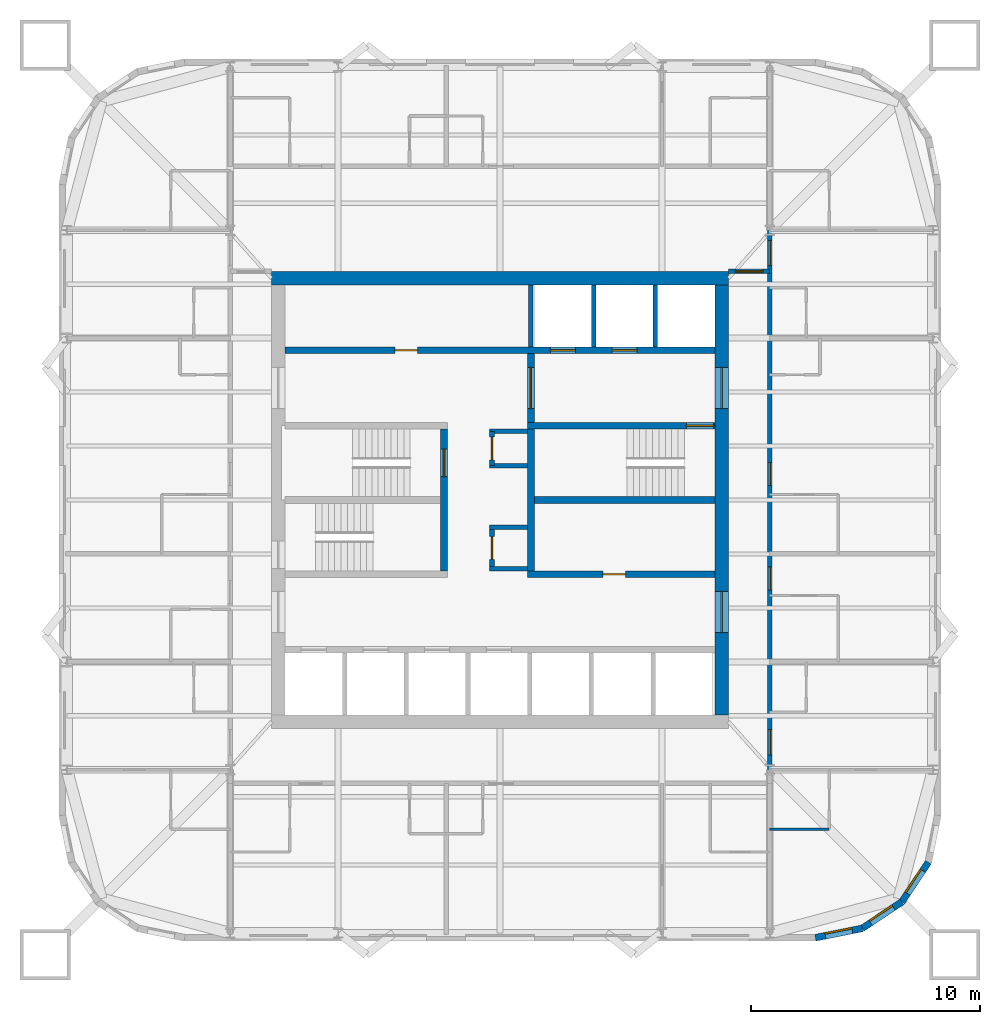
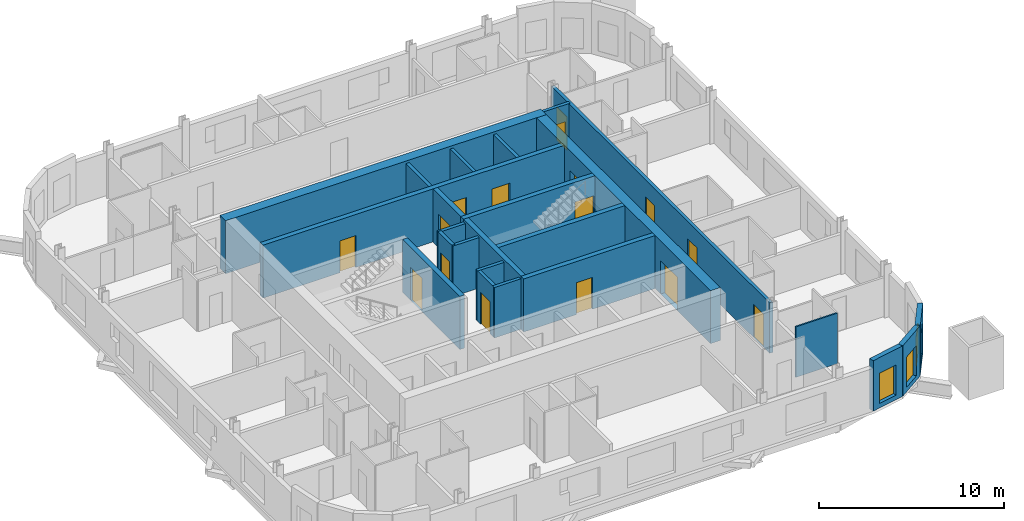
# One storey, part 5 of 9: 23 walls, 16 doors, 3 windows, 19 openings.
"""IFC4 building model written with IfcOpenShell, lengths in metres."""

from ifc_helpers import new_model, si_unit, direction, frame, frame_2d, origin, place, context, subcontext, project, spatial, rectangle, extrude, material, layer, layer_set, type_object, element, fill, save


model = new_model("IFC4")

# Units and contexts
model_context = context("Model", 3, precision=1e-05, world=origin(), true_north=direction((0.0, 1.0)))
body_context = subcontext(model_context, "Body", "Model", "MODEL_VIEW")
ifc_project = project(units=[si_unit("LENGTHUNIT", "METRE"), si_unit("AREAUNIT", "SQUARE_METRE"), si_unit("VOLUMEUNIT", "CUBIC_METRE"), si_unit("PLANEANGLEUNIT", "RADIAN"), si_unit("MASSUNIT", "GRAM", prefix="KILO")], contexts=[model_context])

# Site, building, storey
site_placement = place(None, origin())
site = spatial("IfcSite", under=ifc_project, at=site_placement, CompositionType="ELEMENT")
building_placement = place(site_placement, origin())
building = spatial("IfcBuilding", under=site, at=building_placement, Name="Turquesa Mirador Hotel Tower", CompositionType="ELEMENT")
storey_placement = place(building_placement, frame((0.0, 0.0, 200.300048828125)))
storey = spatial("IfcBuildingStorey", under=building, at=storey_placement, Name="L54", CompositionType="ELEMENT", Elevation=200.300048828125)

# Wall
ifc_material_1 = material(Name="Gypsum board on steel studs", Category="steel")
ifc_layer_1 = layer(ifc_material_1, 0.10009765625)
ifc_layer_set_1 = layer_set([ifc_layer_1], Name="BATHROOM WALL 100")
wall_type_1 = type_object("IfcWallType", Name="BATHROOM WALL 100", PredefinedType="PARTITIONING", material=ifc_layer_set_1)
wall_1_placement = place(storey_placement, frame((66.800048828125, 30.60009765625, 0.0), z_axis=(0.0, 0.0, 1.0), x_axis=(1.0, 0.0, 0.0)))
element("IfcWall", 1, at=wall_1_placement, inside=storey, type_object=wall_type_1, Name="Partition L54 007", PredefinedType="PARTITIONING", context=body_context, shape_type="SweptSolid", body=[
    extrude(rectangle(XDim=2.599853515625, YDim=0.10009765625, at=frame_2d((1.2998046875, 0.0))), origin(), (0.0, 0.0, 1.0), 3.329833984375),
])

# Wall, openings, doors
ifc_material_2 = material(Name="Concrete C50/60", Category="concrete")
ifc_layer_2 = layer(ifc_material_2, 0.300048828125)
ifc_layer_set_2 = layer_set([ifc_layer_2], Name="CORE INNER WALL 300")
wall_type_2 = type_object("IfcWallType", Name="CORE INNER WALL 300", PredefinedType="SHEAR", material=ifc_layer_set_2)
wall_2_placement = place(storey_placement, frame((45.60009765625, 51.550048828125, 0.0), z_axis=(0.0, 0.0, 1.0), x_axis=(1.0, 0.0, 0.0)))
wall_2 = element("IfcWall", 2, at=wall_2_placement, inside=storey, type_object=wall_type_2, Name="Core wall NL", PredefinedType="SHEAR", context=body_context, shape_type="SweptSolid", body=[
    extrude(rectangle(XDim=18.7998046875, YDim=0.300048828125, at=frame_2d((9.39990234375, 0.0))), origin(), (0.0, 0.0, 1.0), 3.5),
])
opening_1_placement = place(wall_2_placement, frame((4.800048828125, 0.0, 0.0)))
opening_1 = element("IfcOpeningElement", 3, at=opening_1_placement, cuts=wall_2, Name="Opening D05", PredefinedType="OPENING", context=body_context, shape_type="SweptSolid", body=[
    extrude(rectangle(XDim=1.0, YDim=2.10009765625, at=frame_2d((0.5, 1.050048828125))), frame((0.0, 0.159912109375, 0.0), z_axis=(0.0, -1.0, 0.0), x_axis=(1.0, 0.0, 0.0)), (0.0, 0.0, 1.0), 0.320068359375),
])
opening_2_placement = place(wall_2_placement, frame((11.60009765625, 0.0, 0.0)))
opening_2 = element("IfcOpeningElement", 4, at=opening_2_placement, cuts=wall_2, Name="Opening LD", PredefinedType="OPENING", context=body_context, shape_type="SweptSolid", body=[
    extrude(rectangle(XDim=1.10009765625, YDim=2.199951171875, at=frame_2d((0.550048828125, 1.10009765625))), frame((0.0, 0.159912109375, 0.0), z_axis=(0.0, -1.0, 0.0), x_axis=(1.0, 0.0, 0.0)), (0.0, 0.0, 1.0), 0.320068359375),
])
opening_3_placement = place(wall_2_placement, frame((14.300048828125, 0.0, 0.0)))
opening_3 = element("IfcOpeningElement", 5, at=opening_3_placement, cuts=wall_2, Name="Opening LD", PredefinedType="OPENING", context=body_context, shape_type="SweptSolid", body=[
    extrude(rectangle(XDim=1.10009765625, YDim=2.199951171875, at=frame_2d((0.550048828125, 1.10009765625))), frame((0.0, 0.159912109375, 0.0), z_axis=(0.0, -1.0, 0.0), x_axis=(1.0, 0.0, 0.0)), (0.0, 0.0, 1.0), 0.320068359375),
])
ifc_material_3 = material(Name="Steel fire door", Category="steel")
door_type_1 = type_object("IfcDoorType", Name="DOOR 1000X2100 SERVICE", OperationType="SINGLE_SWING_LEFT", PredefinedType="DOOR", material=ifc_material_3)
door_1_placement = place(opening_1_placement, origin())
door_1 = element("IfcDoor", 6, at=door_1_placement, inside=storey, type_object=door_type_1, Name="Linen store door", OperationType="SINGLE_SWING_LEFT", OverallHeight=2.10009765625, OverallWidth=1.0, PredefinedType="DOOR", context=body_context, shape_type="SweptSolid", body=[
    extrude(rectangle(XDim=1.0, YDim=2.10009765625, at=frame_2d((0.5, 1.050048828125))), frame((0.0, 0.02490234375, 0.0), z_axis=(0.0, -1.0, 0.0), x_axis=(1.0, 0.0, 0.0)), (0.0, 0.0, 1.0), 0.050048828125),
])
fill(opening_1, door_1)
ifc_material_4 = material(Name="Stainless steel lift landing door", Category="steel")
door_type_2 = type_object("IfcDoorType", Name="LIFT LANDING DOOR 1100X2200", OperationType="SLIDING_TO_LEFT", PredefinedType="DOOR", material=ifc_material_4)
door_2_placement = place(opening_2_placement, origin())
door_2 = element("IfcDoor", 7, at=door_2_placement, inside=storey, type_object=door_type_2, Name="Lift S1 landing door", OperationType="SLIDING_TO_LEFT", OverallHeight=2.199951171875, OverallWidth=1.10009765625, PredefinedType="DOOR", context=body_context, shape_type="SweptSolid", body=[
    extrude(rectangle(XDim=1.10009765625, YDim=2.199951171875, at=frame_2d((0.550048828125, 1.10009765625))), frame((0.0, 0.02490234375, 0.0), z_axis=(0.0, -1.0, 0.0), x_axis=(1.0, 0.0, 0.0)), (0.0, 0.0, 1.0), 0.050048828125),
])
fill(opening_2, door_2)
door_3_placement = place(opening_3_placement, origin())
door_3 = element("IfcDoor", 8, at=door_3_placement, inside=storey, type_object=door_type_2, Name="Lift S2 landing door", OperationType="SLIDING_TO_LEFT", OverallHeight=2.199951171875, OverallWidth=1.10009765625, PredefinedType="DOOR", context=body_context, shape_type="SweptSolid", body=[
    extrude(rectangle(XDim=1.10009765625, YDim=2.199951171875, at=frame_2d((0.550048828125, 1.10009765625))), frame((0.0, 0.02490234375, 0.0), z_axis=(0.0, -1.0, 0.0), x_axis=(1.0, 0.0, 0.0)), (0.0, 0.0, 1.0), 0.050048828125),
])
fill(opening_3, door_3)

# Wall, opening, door
wall_3_placement = place(storey_placement, frame((56.199951171875, 48.25, 0.0), z_axis=(0.0, 0.0, 1.0), x_axis=(1.0, 0.0, 0.0)))
wall_3 = element("IfcWall", 9, at=wall_3_placement, inside=storey, type_object=wall_type_2, Name="Core wall MN-E", PredefinedType="SHEAR", context=body_context, shape_type="SweptSolid", body=[
    extrude(rectangle(XDim=8.199951171875, YDim=0.300048828125, at=frame_2d((4.10009765625, 0.0))), origin(), (0.0, 0.0, 1.0), 3.5),
])
opening_4_placement = place(wall_3_placement, frame((6.949951171875, 0.0, 0.0)))
opening_4 = element("IfcOpeningElement", 10, at=opening_4_placement, cuts=wall_3, Name="Opening D03", PredefinedType="OPENING", context=body_context, shape_type="SweptSolid", body=[
    extrude(rectangle(XDim=1.199951171875, YDim=2.199951171875, at=frame_2d((0.60009765625, 1.10009765625))), frame((0.0, 0.159912109375, 0.0), z_axis=(0.0, -1.0, 0.0), x_axis=(1.0, 0.0, 0.0)), (0.0, 0.0, 1.0), 0.320068359375),
])
ifc_material_5 = material(Name="Steel fire door", Category="steel")
door_type_3 = type_object("IfcDoorType", Name="DOOR 1200X2200 STAIR", OperationType="SINGLE_SWING_LEFT", PredefinedType="DOOR", material=ifc_material_5)
door_4_placement = place(opening_4_placement, origin())
door_4 = element("IfcDoor", 11, at=door_4_placement, inside=storey, type_object=door_type_3, Name="Stair ST3 door", OperationType="SINGLE_SWING_LEFT", OverallHeight=2.199951171875, OverallWidth=1.199951171875, PredefinedType="DOOR", context=body_context, shape_type="SweptSolid", body=[
    extrude(rectangle(XDim=1.199951171875, YDim=2.199951171875, at=frame_2d((0.60009765625, 1.10009765625))), frame((0.0, 0.02490234375, 0.0), z_axis=(0.0, -1.0, 0.0), x_axis=(1.0, 0.0, 0.0)), (0.0, 0.0, 1.0), 0.050048828125),
])
fill(opening_4, door_4)

wall_4_placement = place(storey_placement, frame((56.199951171875, 41.75, 0.0), z_axis=(0.0, 0.0, 1.0), x_axis=(1.0, 0.0, 0.0)))
wall_4 = element("IfcWall", 12, at=wall_4_placement, inside=storey, type_object=wall_type_2, Name="Core wall MS-E", PredefinedType="SHEAR", context=body_context, shape_type="SweptSolid", body=[
    extrude(rectangle(XDim=8.199951171875, YDim=0.300048828125, at=frame_2d((4.10009765625, 0.0))), origin(), (0.0, 0.0, 1.0), 3.5),
])
opening_5_placement = place(wall_4_placement, frame((3.300048828125, 0.0, 0.0)))
opening_5 = element("IfcOpeningElement", 13, at=opening_5_placement, cuts=wall_4, Name="Opening D05", PredefinedType="OPENING", context=body_context, shape_type="SweptSolid", body=[
    extrude(rectangle(XDim=1.0, YDim=2.10009765625, at=frame_2d((0.5, 1.050048828125))), frame((0.0, 0.159912109375, 0.0), z_axis=(0.0, -1.0, 0.0), x_axis=(1.0, 0.0, 0.0)), (0.0, 0.0, 1.0), 0.320068359375),
])
door_5_placement = place(opening_5_placement, origin())
door_5 = element("IfcDoor", 14, at=door_5_placement, inside=storey, type_object=door_type_1, Name="Housekeeping room door", OperationType="SINGLE_SWING_LEFT", OverallHeight=2.10009765625, OverallWidth=1.0, PredefinedType="DOOR", context=body_context, shape_type="SweptSolid", body=[
    extrude(rectangle(XDim=1.0, YDim=2.10009765625, at=frame_2d((0.5, 1.050048828125))), frame((0.0, 0.02490234375, 0.0), z_axis=(0.0, -1.0, 0.0), x_axis=(1.0, 0.0, 0.0)), (0.0, 0.0, 1.0), 0.050048828125),
])
fill(opening_5, door_5)

wall_5_placement = place(storey_placement, frame((52.550048828125, 41.89990234375, 0.0), z_axis=(0.0, 0.0, 1.0), x_axis=(0.0, 1.0, 0.0)))
wall_5 = element("IfcWall", 15, at=wall_5_placement, inside=storey, type_object=wall_type_2, Name="Core wall PW", PredefinedType="SHEAR", context=body_context, shape_type="SweptSolid", body=[
    extrude(rectangle(XDim=6.2001953125, YDim=0.300048828125, at=frame_2d((3.10009765625, 0.0))), origin(), (0.0, 0.0, 1.0), 3.5),
])
opening_6_placement = place(wall_5_placement, frame((4.125, 0.0, 0.0)))
opening_6 = element("IfcOpeningElement", 16, at=opening_6_placement, cuts=wall_5, Name="Opening D03", PredefinedType="OPENING", context=body_context, shape_type="SweptSolid", body=[
    extrude(rectangle(XDim=1.199951171875, YDim=2.199951171875, at=frame_2d((0.60009765625, 1.10009765625))), frame((0.0, 0.159912109375, 0.0), z_axis=(0.0, -1.0, 0.0), x_axis=(1.0, 0.0, 0.0)), (0.0, 0.0, 1.0), 0.320068359375),
])
door_6_placement = place(opening_6_placement, origin())
door_6 = element("IfcDoor", 17, at=door_6_placement, inside=storey, type_object=door_type_3, Name="Stair ST1 door", OperationType="SINGLE_SWING_LEFT", OverallHeight=2.199951171875, OverallWidth=1.199951171875, PredefinedType="DOOR", context=body_context, shape_type="SweptSolid", body=[
    extrude(rectangle(XDim=1.199951171875, YDim=2.199951171875, at=frame_2d((0.60009765625, 1.10009765625))), frame((0.0, 0.02490234375, 0.0), z_axis=(0.0, -1.0, 0.0), x_axis=(1.0, 0.0, 0.0)), (0.0, 0.0, 1.0), 0.050048828125),
])
fill(opening_6, door_6)

wall_6_placement = place(storey_placement, frame((56.35009765625, 41.89990234375, 0.0), z_axis=(0.0, 0.0, 1.0), x_axis=(0.0, 1.0, 0.0)))
wall_6 = element("IfcWall", 18, at=wall_6_placement, inside=storey, type_object=wall_type_2, Name="Core wall PE", PredefinedType="SHEAR", context=body_context, shape_type="SweptSolid", body=[
    extrude(rectangle(XDim=9.5, YDim=0.300048828125, at=frame_2d((4.75, 0.0))), origin(), (0.0, 0.0, 1.0), 3.5),
])
opening_7_placement = place(wall_6_placement, frame((7.10009765625, 0.0, 0.0)))
opening_7 = element("IfcOpeningElement", 19, at=opening_7_placement, cuts=wall_6, Name="Opening D04", PredefinedType="OPENING", context=body_context, shape_type="SweptSolid", body=[
    extrude(rectangle(XDim=1.800048828125, YDim=2.199951171875, at=frame_2d((0.89990234375, 1.10009765625))), frame((0.0, 0.159912109375, 0.0), z_axis=(0.0, -1.0, 0.0), x_axis=(1.0, 0.0, 0.0)), (0.0, 0.0, 1.0), 0.320068359375),
])
ifc_material_6 = material(Name="Steel fire door pair", Category="steel")
door_type_4 = type_object("IfcDoorType", Name="DOOR 1800X2200 PAIR", OperationType="DOUBLE_DOOR_SINGLE_SWING", PredefinedType="DOOR", material=ifc_material_6)
door_7_placement = place(opening_7_placement, origin())
door_7 = element("IfcDoor", 20, at=door_7_placement, inside=storey, type_object=door_type_4, Name="Firefighting lobby inner door", OperationType="DOUBLE_DOOR_SINGLE_SWING", OverallHeight=2.199951171875, OverallWidth=1.800048828125, PredefinedType="DOOR", context=body_context, shape_type="SweptSolid", body=[
    extrude(rectangle(XDim=1.800048828125, YDim=2.199951171875, at=frame_2d((0.89990234375, 1.10009765625))), frame((0.0, 0.02490234375, 0.0), z_axis=(0.0, -1.0, 0.0), x_axis=(1.0, 0.0, 0.0)), (0.0, 0.0, 1.0), 0.050048828125),
])
fill(opening_7, door_7)

# Walls
wall_7_placement = place(storey_placement, frame((56.5, 45.0, 0.0), z_axis=(0.0, 0.0, 1.0), x_axis=(1.0, 0.0, 0.0)))
element("IfcWall", 21, at=wall_7_placement, inside=storey, type_object=wall_type_2, Name="Core wall M0-E", PredefinedType="SHEAR", context=body_context, shape_type="SweptSolid", body=[
    extrude(rectangle(XDim=7.89990234375, YDim=0.300048828125, at=frame_2d((3.949951171875, 0.0))), origin(), (0.0, 0.0, 1.0), 3.5),
])
ifc_material_7 = material(Name="Concrete C50/60", Category="concrete")
ifc_layer_3 = layer(ifc_material_7, 0.60009765625)
ifc_layer_set_3 = layer_set([ifc_layer_3], Name="CORE WALL 600")
wall_type_3 = type_object("IfcWallType", Name="CORE WALL 600", PredefinedType="SHEAR", material=ifc_layer_set_3)
wall_8_placement = place(storey_placement, frame((45.0, 54.699951171875, 0.0), z_axis=(0.0, 0.0, 1.0), x_axis=(1.0, 0.0, 0.0)))
element("IfcWall", 22, at=wall_8_placement, inside=storey, type_object=wall_type_3, Name="Core wall N", PredefinedType="SHEAR", context=body_context, shape_type="SweptSolid", body=[
    extrude(rectangle(XDim=20.0, YDim=0.60009765625, at=frame_2d((10.0, 0.0))), origin(), (0.0, 0.0, 1.0), 3.5),
])

# Wall, openings, doors
wall_9_placement = place(storey_placement, frame((64.699951171875, 35.60009765625, 0.0), z_axis=(0.0, 0.0, 1.0), x_axis=(0.0, 1.0, 0.0)))
wall_9 = element("IfcWall", 23, at=wall_9_placement, inside=storey, type_object=wall_type_3, Name="Core wall E", PredefinedType="SHEAR", context=body_context, shape_type="SweptSolid", body=[
    extrude(rectangle(XDim=18.7998046875, YDim=0.60009765625, at=frame_2d((9.39990234375, 0.0))), origin(), (0.0, 0.0, 1.0), 3.5),
])
opening_8_placement = place(wall_9_placement, frame((13.39990234375, 0.0, 0.0)))
opening_8 = element("IfcOpeningElement", 24, at=opening_8_placement, cuts=wall_9, Name="Opening D04", PredefinedType="OPENING", context=body_context, shape_type="SweptSolid", body=[
    extrude(rectangle(XDim=1.800048828125, YDim=2.199951171875, at=frame_2d((0.89990234375, 1.10009765625))), frame((0.0, 0.31005859375, 0.0), z_axis=(0.0, -1.0, 0.0), x_axis=(1.0, 0.0, 0.0)), (0.0, 0.0, 1.0), 0.6201171875),
])
opening_9_placement = place(wall_9_placement, frame((3.60009765625, 0.0, 0.0)))
opening_9 = element("IfcOpeningElement", 25, at=opening_9_placement, cuts=wall_9, Name="Opening D04", PredefinedType="OPENING", context=body_context, shape_type="SweptSolid", body=[
    extrude(rectangle(XDim=1.800048828125, YDim=2.199951171875, at=frame_2d((0.89990234375, 1.10009765625))), frame((0.0, 0.31005859375, 0.0), z_axis=(0.0, -1.0, 0.0), x_axis=(1.0, 0.0, 0.0)), (0.0, 0.0, 1.0), 0.6201171875),
])
door_8_placement = place(opening_8_placement, origin())
door_8 = element("IfcDoor", 26, at=door_8_placement, inside=storey, type_object=door_type_4, Name="Firefighting lobby door", OperationType="DOUBLE_DOOR_SINGLE_SWING", OverallHeight=2.199951171875, OverallWidth=1.800048828125, PredefinedType="DOOR", context=body_context, shape_type="SweptSolid", body=[
    extrude(rectangle(XDim=1.800048828125, YDim=2.199951171875, at=frame_2d((0.89990234375, 1.10009765625))), frame((0.0, 0.02490234375, 0.0), z_axis=(0.0, -1.0, 0.0), x_axis=(1.0, 0.0, 0.0)), (0.0, 0.0, 1.0), 0.050048828125),
])
fill(opening_8, door_8)
door_9_placement = place(opening_9_placement, origin())
door_9 = element("IfcDoor", 27, at=door_9_placement, inside=storey, type_object=door_type_4, Name="South lift lobby door", OperationType="DOUBLE_DOOR_SINGLE_SWING", OverallHeight=2.199951171875, OverallWidth=1.800048828125, PredefinedType="DOOR", context=body_context, shape_type="SweptSolid", body=[
    extrude(rectangle(XDim=1.800048828125, YDim=2.199951171875, at=frame_2d((0.89990234375, 1.10009765625))), frame((0.0, 0.02490234375, 0.0), z_axis=(0.0, -1.0, 0.0), x_axis=(1.0, 0.0, 0.0)), (0.0, 0.0, 1.0), 0.050048828125),
])
fill(opening_9, door_9)

# Wall, opening, door
ifc_material_8 = material(Name="Fire-rated gypsum board on steel studs", Category="steel")
ifc_layer_4 = layer(ifc_material_8, 0.199951171875)
ifc_layer_set_4 = layer_set([ifc_layer_4], Name="CORRIDOR WALL 200")
wall_type_4 = type_object("IfcWallType", Name="CORRIDOR WALL 200", PredefinedType="PARTITIONING", material=ifc_layer_set_4)
wall_10_placement = place(storey_placement, frame((65.0, 55.0, 0.0), z_axis=(0.0, 0.0, 1.0), x_axis=(1.0, 0.0, 0.0)))
wall_10 = element("IfcWall", 28, at=wall_10_placement, inside=storey, type_object=wall_type_4, Name="Partition L54 023", PredefinedType="PARTITIONING", context=body_context, shape_type="SweptSolid", body=[
    extrude(rectangle(XDim=1.800048828125, YDim=0.199951171875, at=frame_2d((0.89990234375, 0.0))), origin(), (0.0, 0.0, 1.0), 3.329833984375),
])
opening_10_placement = place(wall_10_placement, frame((0.300048828125, 0.0, 0.0)))
opening_10 = element("IfcOpeningElement", 29, at=opening_10_placement, cuts=wall_10, Name="Opening D19", PredefinedType="OPENING", context=body_context, shape_type="SweptSolid", body=[
    extrude(rectangle(XDim=1.199951171875, YDim=2.199951171875, at=frame_2d((0.60009765625, 1.10009765625))), frame((0.0, 0.10986328125, 0.0), z_axis=(0.0, -1.0, 0.0), x_axis=(1.0, 0.0, 0.0)), (0.0, 0.0, 1.0), 0.219970703125),
])
ifc_material_9 = material(Name="Steel glazed fire door", Category="steel")
door_type_5 = type_object("IfcDoorType", Name="DOOR 1200X2200 FIRE DOOR GLAZED", OperationType="SINGLE_SWING_LEFT", PredefinedType="DOOR", material=ifc_material_9)
door_10_placement = place(opening_10_placement, origin())
door_10 = element("IfcDoor", 30, at=door_10_placement, inside=storey, type_object=door_type_5, Name="Door L54-C03-1", OperationType="SINGLE_SWING_LEFT", OverallHeight=2.199951171875, OverallWidth=1.199951171875, PredefinedType="DOOR", context=body_context, shape_type="SweptSolid", body=[
    extrude(rectangle(XDim=1.199951171875, YDim=2.199951171875, at=frame_2d((0.60009765625, 1.10009765625))), frame((0.0, 0.02490234375, 0.0), z_axis=(0.0, -1.0, 0.0), x_axis=(1.0, 0.0, 0.0)), (0.0, 0.0, 1.0), 0.050048828125),
])
fill(opening_10, door_10)

# Wall, openings, doors
wall_11_placement = place(storey_placement, frame((66.800048828125, 33.219970703125, 0.0), z_axis=(0.0, 0.0, 1.0), x_axis=(0.0, 1.0, 0.0)))
wall_11 = element("IfcWall", 31, at=wall_11_placement, inside=storey, type_object=wall_type_4, Name="Partition L54 059", PredefinedType="PARTITIONING", context=body_context, shape_type="SweptSolid", body=[
    extrude(rectangle(XDim=23.56005859375, YDim=0.199951171875, at=frame_2d((11.780029296875, 0.0))), origin(), (0.0, 0.0, 1.0), 3.329833984375),
])
opening_11_placement = place(wall_11_placement, frame((7.85009765625, 0.0, 0.0)))
opening_11 = element("IfcOpeningElement", 32, at=opening_11_placement, cuts=wall_11, Name="Opening D01", PredefinedType="OPENING", context=body_context, shape_type="SweptSolid", body=[
    extrude(rectangle(XDim=1.0, YDim=2.199951171875, at=frame_2d((0.5, 1.10009765625))), frame((0.0, 0.10986328125, 0.0), z_axis=(0.0, -1.0, 0.0), x_axis=(1.0, 0.0, 0.0)), (0.0, 0.0, 1.0), 0.219970703125),
])
opening_12_placement = place(wall_11_placement, frame((12.419921875, 0.0, 0.0)))
opening_12 = element("IfcOpeningElement", 33, at=opening_12_placement, cuts=wall_11, Name="Opening D01", PredefinedType="OPENING", context=body_context, shape_type="SweptSolid", body=[
    extrude(rectangle(XDim=1.0, YDim=2.199951171875, at=frame_2d((0.5, 1.10009765625))), frame((0.0, 0.10986328125, 0.0), z_axis=(0.0, -1.0, 0.0), x_axis=(1.0, 0.0, 0.0)), (0.0, 0.0, 1.0), 0.219970703125),
])
opening_13_placement = place(wall_11_placement, frame((22.030029296875, 0.0, 0.0)))
opening_13 = element("IfcOpeningElement", 34, at=opening_13_placement, cuts=wall_11, Name="Opening D15", PredefinedType="OPENING", context=body_context, shape_type="SweptSolid", body=[
    extrude(rectangle(XDim=1.10009765625, YDim=2.199951171875, at=frame_2d((0.550048828125, 1.10009765625))), frame((0.0, 0.10986328125, 0.0), z_axis=(0.0, -1.0, 0.0), x_axis=(1.0, 0.0, 0.0)), (0.0, 0.0, 1.0), 0.219970703125),
])
opening_14_placement = place(wall_11_placement, frame((0.6298828125, 0.0, 0.0)))
opening_14 = element("IfcOpeningElement", 35, at=opening_14_placement, cuts=wall_11, Name="Opening D15", PredefinedType="OPENING", context=body_context, shape_type="SweptSolid", body=[
    extrude(rectangle(XDim=1.10009765625, YDim=2.199951171875, at=frame_2d((0.550048828125, 1.10009765625))), frame((0.0, 0.10986328125, 0.0), z_axis=(0.0, -1.0, 0.0), x_axis=(1.0, 0.0, 0.0)), (0.0, 0.0, 1.0), 0.219970703125),
])
ifc_material_10 = material(Name="Timber veneered fire door", Category="wood")
door_type_6 = type_object("IfcDoorType", Name="DOOR 1000X2200 GUEST ENTRY", OperationType="SINGLE_SWING_LEFT", PredefinedType="DOOR", material=ifc_material_10)
door_11_placement = place(opening_11_placement, origin())
door_11 = element("IfcDoor", 36, at=door_11_placement, inside=storey, type_object=door_type_6, Name="Door 5405", OperationType="SINGLE_SWING_LEFT", OverallHeight=2.199951171875, OverallWidth=1.0, PredefinedType="DOOR", context=body_context, shape_type="SweptSolid", body=[
    extrude(rectangle(XDim=1.0, YDim=2.199951171875, at=frame_2d((0.5, 1.10009765625))), frame((0.0, 0.02490234375, 0.0), z_axis=(0.0, -1.0, 0.0), x_axis=(1.0, 0.0, 0.0)), (0.0, 0.0, 1.0), 0.050048828125),
])
fill(opening_11, door_11)
door_12_placement = place(opening_12_placement, origin())
door_12 = element("IfcDoor", 37, at=door_12_placement, inside=storey, type_object=door_type_6, Name="Door 5406", OperationType="SINGLE_SWING_LEFT", OverallHeight=2.199951171875, OverallWidth=1.0, PredefinedType="DOOR", context=body_context, shape_type="SweptSolid", body=[
    extrude(rectangle(XDim=1.0, YDim=2.199951171875, at=frame_2d((0.5, 1.10009765625))), frame((0.0, 0.02490234375, 0.0), z_axis=(0.0, -1.0, 0.0), x_axis=(1.0, 0.0, 0.0)), (0.0, 0.0, 1.0), 0.050048828125),
])
fill(opening_12, door_12)
ifc_material_11 = material(Name="Timber veneered fire door", Category="wood")
door_type_7 = type_object("IfcDoorType", Name="DOOR 1100X2200 SUITE ENTRY", OperationType="SINGLE_SWING_LEFT", PredefinedType="DOOR", material=ifc_material_11)
door_13_placement = place(opening_13_placement, origin())
door_13 = element("IfcDoor", 38, at=door_13_placement, inside=storey, type_object=door_type_7, Name="Door 5409", OperationType="SINGLE_SWING_LEFT", OverallHeight=2.199951171875, OverallWidth=1.10009765625, PredefinedType="DOOR", context=body_context, shape_type="SweptSolid", body=[
    extrude(rectangle(XDim=1.10009765625, YDim=2.199951171875, at=frame_2d((0.550048828125, 1.10009765625))), frame((0.0, 0.02490234375, 0.0), z_axis=(0.0, -1.0, 0.0), x_axis=(1.0, 0.0, 0.0)), (0.0, 0.0, 1.0), 0.050048828125),
])
fill(opening_13, door_13)
door_14_placement = place(opening_14_placement, origin())
door_14 = element("IfcDoor", 39, at=door_14_placement, inside=storey, type_object=door_type_7, Name="Door 5412", OperationType="SINGLE_SWING_LEFT", OverallHeight=2.199951171875, OverallWidth=1.10009765625, PredefinedType="DOOR", context=body_context, shape_type="SweptSolid", body=[
    extrude(rectangle(XDim=1.10009765625, YDim=2.199951171875, at=frame_2d((0.550048828125, 1.10009765625))), frame((0.0, 0.02490234375, 0.0), z_axis=(0.0, -1.0, 0.0), x_axis=(1.0, 0.0, 0.0)), (0.0, 0.0, 1.0), 0.050048828125),
])
fill(opening_14, door_14)

# Wall, opening, window
ifc_material_12 = material(Name="Limestone cladding on concrete block", Category="masonry")
ifc_layer_5 = layer(ifc_material_12, 0.300048828125)
ifc_layer_set_5 = layer_set([ifc_layer_5], Name="FACADE WALL 300 STONE SCREEN")
wall_type_5 = type_object("IfcWallType", Name="FACADE WALL 300 STONE SCREEN", PredefinedType="SOLIDWALL", material=ifc_layer_set_5)
wall_12_placement = place(storey_placement, frame((68.800048828125, 25.85009765625, 0.0), z_axis=(0.0, 0.0, 1.0), x_axis=(0.980787050784, 0.195081421501, 0.0)))
wall_12 = element("IfcWall", 40, at=wall_12_placement, inside=storey, type_object=wall_type_5, Name="Facade wall L54 00", PredefinedType="SOLIDWALL", context=body_context, shape_type="SweptSolid", body=[
    extrude(rectangle(XDim=2.08740234375, YDim=0.300048828125, at=frame_2d((1.043701171875, 0.0))), origin(), (0.0, 0.0, 1.0), 3.329833984375),
])
opening_15_placement = place(wall_12_placement, frame((0.443603515625, 0.0, 0.300048828125)))
opening_15 = element("IfcOpeningElement", 41, at=opening_15_placement, cuts=wall_12, Name="Opening WN4", PredefinedType="OPENING", context=body_context, shape_type="SweptSolid", body=[
    extrude(rectangle(XDim=1.199951171875, YDim=2.0, at=frame_2d((0.60009765625, 1.0))), frame((0.0, 0.159912109375, 0.0), z_axis=(0.0, -1.0, 0.0), x_axis=(1.0, 0.0, 0.0)), (0.0, 0.0, 1.0), 0.320068359375),
])
ifc_material_13 = material(Name="Ceramic-fritted laminated glass", Category="glass")
window_type = type_object("IfcWindowType", Name="FRITTED CORNER WINDOW 1200X2000", PartitioningType="DOUBLE_PANEL_HORIZONTAL", PredefinedType="WINDOW", material=ifc_material_13)
window_1_placement = place(opening_15_placement, origin())
window_1 = element("IfcWindow", 42, at=window_1_placement, inside=storey, type_object=window_type, Name="Window L54", OverallHeight=2.0, OverallWidth=1.199951171875, PartitioningType="SINGLE_PANEL", PredefinedType="WINDOW", context=body_context, shape_type="SweptSolid", body=[
    extrude(rectangle(XDim=1.199951171875, YDim=2.0, at=frame_2d((0.60009765625, 1.0))), frame((0.0, 0.130126953125, 0.0), z_axis=(0.0, -1.0, 0.0), x_axis=(1.0, 0.0, 0.0)), (0.0, 0.0, 1.0), 0.06005859375),
])
fill(opening_15, window_1)

wall_13_placement = place(storey_placement, frame((70.847412109375, 26.25732421875, 0.0), z_axis=(0.0, 0.0, 1.0), x_axis=(0.831474039234, 0.555563607591, 0.0)))
wall_13 = element("IfcWall", 43, at=wall_13_placement, inside=storey, type_object=wall_type_5, Name="Facade wall L54 01", PredefinedType="SOLIDWALL", context=body_context, shape_type="SweptSolid", body=[
    extrude(rectangle(XDim=2.08740234375, YDim=0.300048828125, at=frame_2d((1.043701171875, 0.0))), origin(), (0.0, 0.0, 1.0), 3.329833984375),
])
opening_16_placement = place(wall_13_placement, frame((0.443603515625, 0.0, 0.300048828125)))
opening_16 = element("IfcOpeningElement", 44, at=opening_16_placement, cuts=wall_13, Name="Opening WN4", PredefinedType="OPENING", context=body_context, shape_type="SweptSolid", body=[
    extrude(rectangle(XDim=1.199951171875, YDim=2.0, at=frame_2d((0.60009765625, 1.0))), frame((0.0, 0.159912109375, 0.0), z_axis=(0.0, -1.0, 0.0), x_axis=(1.0, 0.0, 0.0)), (0.0, 0.0, 1.0), 0.320068359375),
])
window_2_placement = place(opening_16_placement, origin())
window_2 = element("IfcWindow", 45, at=window_2_placement, inside=storey, type_object=window_type, Name="Window L54", OverallHeight=2.0, OverallWidth=1.199951171875, PartitioningType="SINGLE_PANEL", PredefinedType="WINDOW", context=body_context, shape_type="SweptSolid", body=[
    extrude(rectangle(XDim=1.199951171875, YDim=2.0, at=frame_2d((0.60009765625, 1.0))), frame((0.0, 0.130126953125, 0.0), z_axis=(0.0, -1.0, 0.0), x_axis=(1.0, 0.0, 0.0)), (0.0, 0.0, 1.0), 0.06005859375),
])
fill(opening_16, window_2)

wall_14_placement = place(storey_placement, frame((72.5830078125, 27.4169921875, 0.0), z_axis=(0.0, 0.0, 1.0), x_axis=(0.555563607591, 0.831474039234, 0.0)))
wall_14 = element("IfcWall", 46, at=wall_14_placement, inside=storey, type_object=wall_type_5, Name="Facade wall L54 02", PredefinedType="SOLIDWALL", context=body_context, shape_type="SweptSolid", body=[
    extrude(rectangle(XDim=2.08740234375, YDim=0.300048828125, at=frame_2d((1.043701171875, 0.0))), origin(), (0.0, 0.0, 1.0), 3.329833984375),
])
opening_17_placement = place(wall_14_placement, frame((0.443603515625, 0.0, 0.300048828125)))
opening_17 = element("IfcOpeningElement", 47, at=opening_17_placement, cuts=wall_14, Name="Opening WN4", PredefinedType="OPENING", context=body_context, shape_type="SweptSolid", body=[
    extrude(rectangle(XDim=1.199951171875, YDim=2.0, at=frame_2d((0.60009765625, 1.0))), frame((0.0, 0.159912109375, 0.0), z_axis=(0.0, -1.0, 0.0), x_axis=(1.0, 0.0, 0.0)), (0.0, 0.0, 1.0), 0.320068359375),
])
window_3_placement = place(opening_17_placement, origin())
window_3 = element("IfcWindow", 48, at=window_3_placement, inside=storey, type_object=window_type, Name="Window L54", OverallHeight=2.0, OverallWidth=1.199951171875, PartitioningType="SINGLE_PANEL", PredefinedType="WINDOW", context=body_context, shape_type="SweptSolid", body=[
    extrude(rectangle(XDim=1.199951171875, YDim=2.0, at=frame_2d((0.60009765625, 1.0))), frame((0.0, 0.130126953125, 0.0), z_axis=(0.0, -1.0, 0.0), x_axis=(1.0, 0.0, 0.0)), (0.0, 0.0, 1.0), 0.06005859375),
])
fill(opening_17, window_3)

# Wall, opening, door
ifc_material_14 = material(Name="Fire-rated gypsum board on steel studs", Category="steel")
ifc_layer_6 = layer(ifc_material_14, 0.199951171875)
ifc_layer_set_6 = layer_set([ifc_layer_6], Name="FIRE PARTITION 200")
wall_type_6 = type_object("IfcWallType", Name="FIRE PARTITION 200", PredefinedType="PARTITIONING", material=ifc_layer_set_6)
wall_15_placement = place(storey_placement, frame((54.64990234375, 42.0, 0.0), z_axis=(0.0, 0.0, 1.0), x_axis=(0.0, 1.0, 0.0)))
wall_15 = element("IfcWall", 49, at=wall_15_placement, inside=storey, type_object=wall_type_6, Name="Partition L54 CM W", PredefinedType="PARTITIONING", context=body_context, shape_type="SweptSolid", body=[
    extrude(rectangle(XDim=1.800048828125, YDim=0.199951171875, at=frame_2d((0.89990234375, 0.0))), origin(), (0.0, 0.0, 1.0), 3.329833984375),
])
opening_18_placement = place(wall_15_placement, frame((0.39990234375, 0.0, 0.0)))
opening_18 = element("IfcOpeningElement", 50, at=opening_18_placement, cuts=wall_15, Name="Opening D05", PredefinedType="OPENING", context=body_context, shape_type="SweptSolid", body=[
    extrude(rectangle(XDim=1.0, YDim=2.10009765625, at=frame_2d((0.5, 1.050048828125))), frame((0.0, 0.10986328125, 0.0), z_axis=(0.0, -1.0, 0.0), x_axis=(1.0, 0.0, 0.0)), (0.0, 0.0, 1.0), 0.219970703125),
])
door_15_placement = place(opening_18_placement, origin())
door_15 = element("IfcDoor", 51, at=door_15_placement, inside=storey, type_object=door_type_1, Name="Comms room door", OperationType="SINGLE_SWING_LEFT", OverallHeight=2.10009765625, OverallWidth=1.0, PredefinedType="DOOR", context=body_context, shape_type="SweptSolid", body=[
    extrude(rectangle(XDim=1.0, YDim=2.10009765625, at=frame_2d((0.5, 1.050048828125))), frame((0.0, 0.02490234375, 0.0), z_axis=(0.0, -1.0, 0.0), x_axis=(1.0, 0.0, 0.0)), (0.0, 0.0, 1.0), 0.050048828125),
])
fill(opening_18, door_15)

# Walls
for number, where, z_axis, x_axis, name in (
    (52, (54.550048828125, 42.0, 0.0), (0.0, 0.0, 1.0), (1.0, 0.0, 0.0), "Partition L54 CM S"),
    (53, (54.550048828125, 43.800048828125, 0.0), (0.0, 0.0, 1.0), (1.0, 0.0, 0.0), "Partition L54 CM N"),
):
    element("IfcWall", number, at=place(storey_placement, frame(where, z_axis=z_axis, x_axis=x_axis)), inside=storey, type_object=wall_type_6, Name=name, PredefinedType="PARTITIONING", context=body_context, shape_type="SweptSolid", body=[
        extrude(rectangle(XDim=1.64990234375, YDim=0.199951171875, at=frame_2d((0.824951171875, 0.0))), origin(), (0.0, 0.0, 1.0), 3.329833984375),
    ])

# Wall, opening, door
wall_16_placement = place(storey_placement, frame((54.64990234375, 46.5, 0.0), z_axis=(0.0, 0.0, 1.0), x_axis=(0.0, 1.0, 0.0)))
wall_16 = element("IfcWall", 54, at=wall_16_placement, inside=storey, type_object=wall_type_6, Name="Partition L54 CL W", PredefinedType="PARTITIONING", context=body_context, shape_type="SweptSolid", body=[
    extrude(rectangle(XDim=1.5, YDim=0.199951171875, at=frame_2d((0.75, 0.0))), origin(), (0.0, 0.0, 1.0), 3.329833984375),
])
opening_19_placement = place(wall_16_placement, frame((0.25, 0.0, 0.0)))
opening_19 = element("IfcOpeningElement", 55, at=opening_19_placement, cuts=wall_16, Name="Opening D05", PredefinedType="OPENING", context=body_context, shape_type="SweptSolid", body=[
    extrude(rectangle(XDim=1.0, YDim=2.10009765625, at=frame_2d((0.5, 1.050048828125))), frame((0.0, 0.10986328125, 0.0), z_axis=(0.0, -1.0, 0.0), x_axis=(1.0, 0.0, 0.0)), (0.0, 0.0, 1.0), 0.219970703125),
])
door_16_placement = place(opening_19_placement, origin())
door_16 = element("IfcDoor", 56, at=door_16_placement, inside=storey, type_object=door_type_1, Name="Cleaner's cupboard door", OperationType="SINGLE_SWING_LEFT", OverallHeight=2.10009765625, OverallWidth=1.0, PredefinedType="DOOR", context=body_context, shape_type="SweptSolid", body=[
    extrude(rectangle(XDim=1.0, YDim=2.10009765625, at=frame_2d((0.5, 1.050048828125))), frame((0.0, 0.02490234375, 0.0), z_axis=(0.0, -1.0, 0.0), x_axis=(1.0, 0.0, 0.0)), (0.0, 0.0, 1.0), 0.050048828125),
])
fill(opening_19, door_16)

# Walls
for number, where, z_axis, x_axis, name in (
    (57, (54.550048828125, 46.5, 0.0), (0.0, 0.0, 1.0), (1.0, 0.0, 0.0), "Partition L54 CL S"),
    (58, (54.550048828125, 48.0, 0.0), (0.0, 0.0, 1.0), (1.0, 0.0, 0.0), "Partition L54 CL N"),
):
    element("IfcWall", number, at=place(storey_placement, frame(where, z_axis=z_axis, x_axis=x_axis)), inside=storey, type_object=wall_type_6, Name=name, PredefinedType="PARTITIONING", context=body_context, shape_type="SweptSolid", body=[
        extrude(rectangle(XDim=1.64990234375, YDim=0.199951171875, at=frame_2d((0.824951171875, 0.0))), origin(), (0.0, 0.0, 1.0), 3.329833984375),
    ])
ifc_material_15 = material(Name="Fire-rated gypsum shaft wall on steel studs", Category="steel")
ifc_layer_7 = layer(ifc_material_15, 0.199951171875)
ifc_layer_set_7 = layer_set([ifc_layer_7], Name="LIFT SHAFT DIVIDER 200")
wall_type_7 = type_object("IfcWallType", Name="LIFT SHAFT DIVIDER 200", PredefinedType="PARTITIONING", material=ifc_layer_set_7)
for number, where, z_axis, x_axis, name in (
    (59, (59.10009765625, 51.699951171875, 0.0), (0.0, 0.0, 1.0), (0.0, 1.0, 0.0), "Lift shaft divider"),
    (60, (61.800048828125, 51.699951171875, 0.0), (0.0, 0.0, 1.0), (0.0, 1.0, 0.0), "Lift shaft divider"),
    (61, (56.35009765625, 51.699951171875, 0.0), (0.0, 0.0, 1.0), (0.0, 1.0, 0.0), "Lift shaft divider"),
):
    element("IfcWall", number, at=place(storey_placement, frame(where, z_axis=z_axis, x_axis=x_axis)), inside=storey, type_object=wall_type_7, Name=name, PredefinedType="PARTITIONING", context=body_context, shape_type="SweptSolid", body=[
        extrude(rectangle(XDim=2.699951171875, YDim=0.199951171875, at=frame_2d((1.35009765625, 0.0))), origin(), (0.0, 0.0, 1.0), 3.329833984375),
    ])

save(model, "model.ifc")
